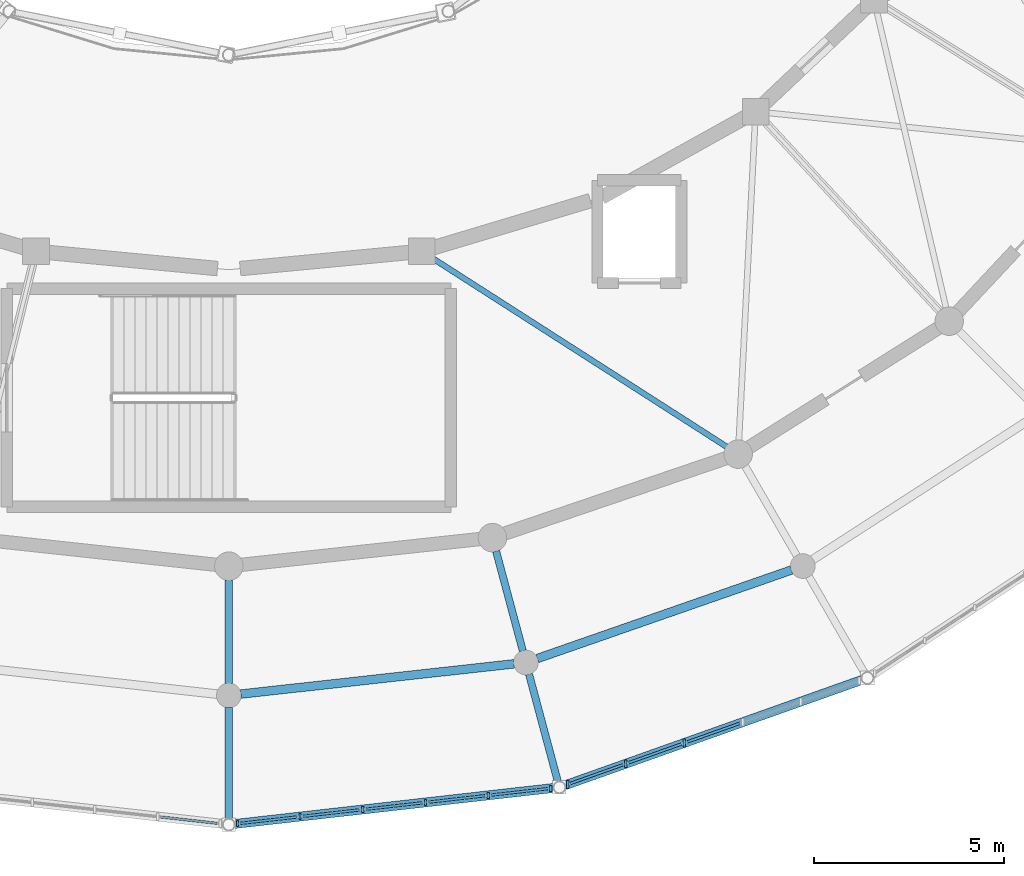
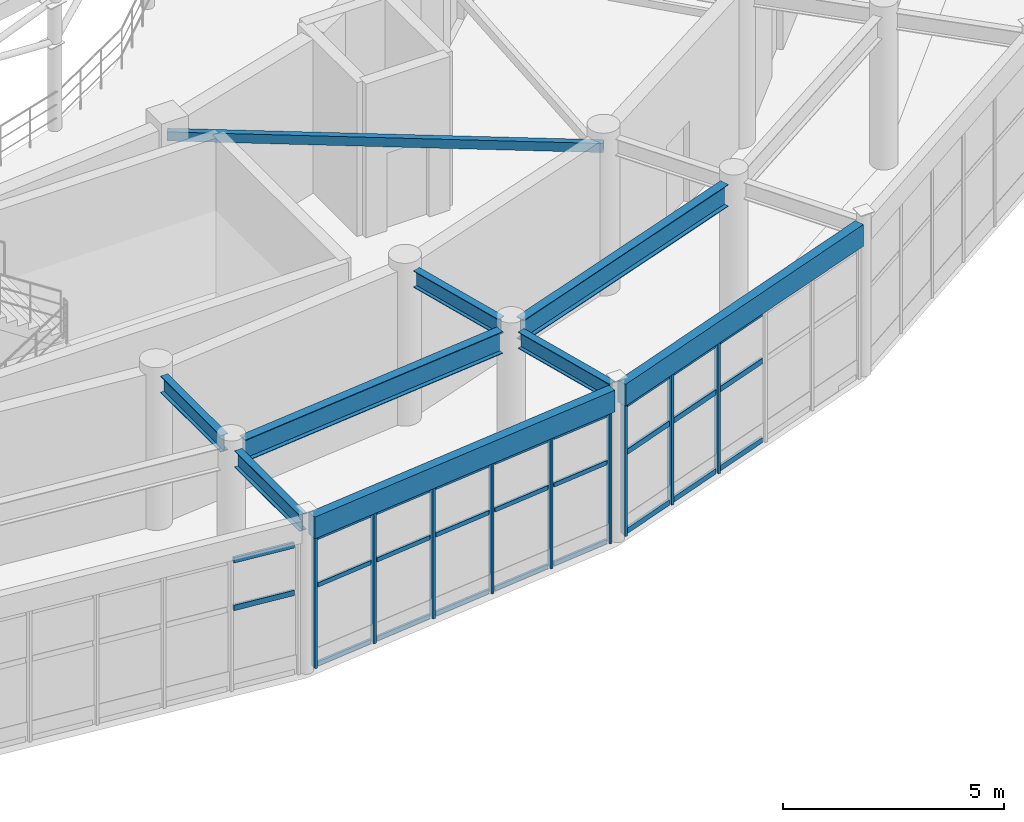
# One storey, part 18 of 60: 36 members, 8 beams, 3 elements without a shape of their own.
"""IFC4 building model written with IfcOpenShell, lengths in metres."""

import ifcopenshell
import ifcopenshell.guid

model = None  # the IFC model being written
_history = None  # IfcOwnerHistory: only IFC2X3 demands one
_inside = {}  # id of a spatial element -> (the spatial element, [elements in it])
_under = {}  # id of a project, library or spatial element -> (it, [spatial elements below it])
_declared = {}  # id of a project -> (the project, [libraries it declares])
_typed = {}  # id of a type object -> (the type object, [elements of that type])
_made_of = {}  # id of a material, layer set ... -> (it, [elements and type objects made of it])


def new_model(schema):
    """Start an empty IFC model of exactly this schema.

    Asked for "IFC4X3", IfcOpenShell would pick the latest addendum, in which some entities
    have other attributes; the version numbers below select the first issue.
    IFC2X3 requires an IfcOwnerHistory on every rooted entity: one is made here for all.
    """
    global model, _history
    if schema == "IFC4X3":
        model = ifcopenshell.file(schema_version=(4, 3, 0, 0))
    else:
        model = ifcopenshell.file(schema=schema)
    _inside.clear()
    _under.clear()
    _declared.clear()
    _typed.clear()
    _made_of.clear()
    _history = None
    if model.schema == "IFC2X3":
        org = make("IfcOrganization", Name="unknown")
        user = make(
            "IfcPersonAndOrganization",
            ThePerson=make("IfcPerson", FamilyName="unknown"),
            TheOrganization=org,
        )
        app = make(
            "IfcApplication",
            ApplicationDeveloper=org,
            Version="unknown",
            ApplicationFullName="unknown",
            ApplicationIdentifier="unknown",
        )
        _history = make(
            "IfcOwnerHistory",
            OwningUser=user,
            OwningApplication=app,
            ChangeAction="ADDED",
            CreationDate=0,
        )
    return model


def make(cls, **values):
    """One entity of the class cls with the attributes given. An attribute that is None is left unset."""
    return model.create_entity(
        cls, **{name: value for name, value in values.items() if value is not None}
    )


def rooted(cls, **values):
    """An entity with a GlobalId (a new one), such as an element, a storey or a relation."""
    return make(cls, GlobalId=ifcopenshell.guid.new(), OwnerHistory=_history, **values)


def si_unit(unit_type, name, prefix=None):
    """IfcSIUnit, for example si_unit("LENGTHUNIT", "METRE", prefix="MILLI")."""
    return make("IfcSIUnit", UnitType=unit_type, Prefix=prefix, Name=name)


def assignment(units):
    """IfcUnitAssignment: the units of a project."""
    return None if units is None else make("IfcUnitAssignment", Units=units)


def point(xyz):
    """IfcCartesianPoint."""
    return None if xyz is None else make("IfcCartesianPoint", Coordinates=xyz)


def direction(xyz):
    """IfcDirection."""
    return None if xyz is None else make("IfcDirection", DirectionRatios=xyz)


def frame(location, z_axis=None, x_axis=None):
    """IfcAxis2Placement3D, a coordinate frame: its origin and axes. An axis left out is left unset."""
    return make(
        "IfcAxis2Placement3D",
        Location=point(location),
        Axis=direction(z_axis),
        RefDirection=direction(x_axis),
    )


def frame_2d(location, x_axis=None):
    """IfcAxis2Placement2D, a coordinate frame in the plane: its origin and x axis."""
    return make(
        "IfcAxis2Placement2D", Location=point(location), RefDirection=direction(x_axis)
    )


def origin():
    """The frame at (0, 0, 0) with its axes left unset."""
    return frame((0.0, 0.0, 0.0))


def origin_2d():
    """The frame at (0, 0) in the plane with its x axis left unset."""
    return frame_2d((0.0, 0.0))


def place(relative_to, where):
    """IfcLocalPlacement: puts the frame where relative to a parent placement (None: the world)."""
    return make(
        "IfcLocalPlacement", PlacementRelTo=relative_to, RelativePlacement=where
    )


def context(
    kind, dimensions, precision=None, world=None, true_north=None, identifier=None
):
    """IfcGeometricRepresentationContext, for example the 3D "Model" context."""
    return make(
        "IfcGeometricRepresentationContext",
        ContextIdentifier=identifier,
        ContextType=kind,
        CoordinateSpaceDimension=dimensions,
        Precision=precision,
        WorldCoordinateSystem=world,
        TrueNorth=true_north,
    )


def subcontext(parent, identifier, kind, view, scale=None):
    """IfcGeometricRepresentationSubContext, for example "Body" below "Model"."""
    return make(
        "IfcGeometricRepresentationSubContext",
        ContextIdentifier=identifier,
        ContextType=kind,
        ParentContext=parent,
        TargetScale=scale,
        TargetView=view,
    )


def project(units=None, contexts=None):
    """IfcProject with its units and contexts."""
    return rooted(
        "IfcProject",
        Name="project",
        RepresentationContexts=contexts,
        UnitsInContext=assignment(units),
    )


def spatial(cls, under=None, at=None, **own):
    """A site, building, storey or space (cls), placed at a placement, below another one or the project."""
    s = rooted(cls, ObjectPlacement=at, **own)
    if under is not None:
        _under.setdefault(under.id(), (under, []))[1].append(s)
    return s


def profile(cls, at=None, kind="AREA", **sizes):
    """A parametric profile (cls). Its sizes go by their IFC names, for example OverallWidth=200.0."""
    return make(cls, ProfileType=kind, Position=at, **sizes)


def rectangle(**sizes):
    """IfcRectangleProfileDef."""
    return profile("IfcRectangleProfileDef", **sizes)


def hollow_rectangle(**sizes):
    """IfcRectangleHollowProfileDef."""
    return profile("IfcRectangleHollowProfileDef", **sizes)


def i_section(**sizes):
    """IfcIShapeProfileDef."""
    return profile("IfcIShapeProfileDef", **sizes)


def extrude(swept, where, along, depth):
    """IfcExtrudedAreaSolid: the profile swept, set in the frame where, extruded along a direction by depth."""
    return make(
        "IfcExtrudedAreaSolid",
        SweptArea=swept,
        Position=where,
        ExtrudedDirection=direction(along),
        Depth=depth,
    )


def shape(context_of_items, identifier, shape_type, items):
    """IfcShapeRepresentation: the items that make up one representation, for example the "Body"."""
    return make(
        "IfcShapeRepresentation",
        ContextOfItems=context_of_items,
        RepresentationIdentifier=identifier,
        RepresentationType=shape_type,
        Items=items,
    )


def material(Name=None, Category=None):
    """IfcMaterial."""
    return make("IfcMaterial", Name=Name, Category=Category)


def material_profile(
    of_material, cross_section, Name=None, Category=None, Priority=None
):
    """IfcMaterialProfile: a cross section and its material."""
    return make(
        "IfcMaterialProfile",
        Name=Name,
        Material=of_material,
        Profile=cross_section,
        Priority=Priority,
        Category=Category,
    )


def profile_set(profiles, Name=None, composite=None):
    """IfcMaterialProfileSet."""
    return make(
        "IfcMaterialProfileSet",
        Name=Name,
        MaterialProfiles=profiles,
        CompositeProfile=composite,
    )


def made_of(thing, what):
    """Note that an element or type object is made of a material, layer set ...; save() writes the relation."""
    if what is not None:
        _made_of.setdefault(what.id(), (what, []))[1].append(thing)
    return thing


def type_object(cls, material=None, **own):
    """A type object (cls), such as IfcWallType, which elements share."""
    return made_of(rooted(cls, **own), material)


def element(
    cls,
    number,
    at=None,
    inside=None,
    cuts=None,
    type_object=None,
    material=None,
    context=None,
    identifier="Body",
    shape_type=None,
    held_by="IfcProductDefinitionShape",
    body=None,
    shapes=None,
    **own,
):
    """One element of the class cls, such as IfcWall. Its Tag is "e" and its number.

    at: its placement. inside: the storey or other place that contains it. cuts: it is an
    opening in that element (IfcRelVoidsElement). A single representation is given by context,
    identifier, shape_type and body (its items); several are given by shapes. held_by: the class
    of the entity that holds the representations. save() writes the other relations.
    """
    e = rooted(cls, Tag="e%d" % number, ObjectPlacement=at, **own)
    if body is not None:
        shapes = [shape(context, identifier, shape_type, body)]
    if shapes is not None:
        e.Representation = make(held_by, Representations=shapes)
    if inside is not None:
        _inside.setdefault(inside.id(), (inside, []))[1].append(e)
    if cuts is not None:
        rooted(
            "IfcRelVoidsElement", RelatingBuildingElement=cuts, RelatedOpeningElement=e
        )
    if type_object is not None:
        _typed.setdefault(type_object.id(), (type_object, []))[1].append(e)
    return made_of(e, material)


def aggregate(whole, parts):
    """IfcRelAggregates: a whole, such as a stair, and the parts it consists of."""
    return rooted("IfcRelAggregates", RelatingObject=whole, RelatedObjects=parts)


def save(model, path):
    """Write the relations noted so far, then the file.

    IfcRelAggregates (storeys below a building ...), IfcRelContainedInSpatialStructure (elements
    in a storey), IfcRelDefinesByType, IfcRelAssociatesMaterial and IfcRelDeclares: one each for
    every whole, place, type object, material and project.
    """
    for whole, parts in _under.values():
        aggregate(whole, parts)
    for where, things in _inside.values():
        rooted(
            "IfcRelContainedInSpatialStructure",
            RelatedElements=things,
            RelatingStructure=where,
        )
    for kind, things in _typed.values():
        rooted("IfcRelDefinesByType", RelatedObjects=things, RelatingType=kind)
    for what, things in _made_of.values():
        rooted("IfcRelAssociatesMaterial", RelatedObjects=things, RelatingMaterial=what)
    for by, libraries in _declared.values():
        rooted("IfcRelDeclares", RelatingContext=by, RelatedDefinitions=libraries)
    model.write(path)


model = new_model("IFC4")

# Units and contexts
model_context = context("Model", 3, precision=1e-05, world=origin(), true_north=direction((0.0, 1.0)))
body_context = subcontext(model_context, "Body", "Model", "MODEL_VIEW")
ifc_project = project(units=[si_unit("LENGTHUNIT", "METRE"), si_unit("AREAUNIT", "SQUARE_METRE"), si_unit("VOLUMEUNIT", "CUBIC_METRE"), si_unit("PLANEANGLEUNIT", "RADIAN"), si_unit("MASSUNIT", "GRAM", prefix="KILO")], contexts=[model_context])

# Site, building, storey
site_placement = place(None, origin())
site = spatial("IfcSite", under=ifc_project, at=site_placement, CompositionType="ELEMENT")
building_placement = place(site_placement, origin())
building = spatial("IfcBuilding", under=site, at=building_placement, Name="Cinderbank Siding Concert Hall", CompositionType="ELEMENT")
storey_placement = place(building_placement, frame((0.0, 0.0, 14.699951171875)))
storey = spatial("IfcBuildingStorey", under=building, at=storey_placement, Name="L04", CompositionType="ELEMENT", Elevation=14.699951171875)

# Beams
ifc_material_1 = material(Name="Structural steel AS/NZS 3679.1 Grade 350 (340 MPa)", Category="steel")
ifc_material_profile_1 = material_profile(ifc_material_1, i_section(OverallWidth=0.19091796875, OverallDepth=0.46044921875, WebThickness=0.010009765625, FlangeThickness=0.01611328125, at=origin_2d()), Name="460UB82.1", Category="LoadBearing")
ifc_profile_set_1 = profile_set([ifc_material_profile_1], Name="Structural steel AS/NZS 3679.1 Grade 350 (340 MPa)")
beam_type_1 = type_object("IfcBeamType", Name="BM-UB460H 460UB82.1", PredefinedType="BEAM", material=ifc_profile_set_1)
beam_1_placement = place(storey_placement, frame((122.0, 21.633056640625, 4.03173828125), z_axis=(0.0, -1.0, 0.0), x_axis=(1.0, 0.0, 0.0)))
element("IfcBeam", 1, at=beam_1_placement, inside=storey, type_object=beam_type_1, Name="L04 Beam BM-UB460H #728", PredefinedType="BEAM", context=body_context, shape_type="SweptSolid", body=[
    extrude(i_section(OverallWidth=0.19091796875, OverallDepth=0.46044921875, WebThickness=0.010009765625, FlangeThickness=0.01611328125, at=origin_2d()), origin(), (0.0, 0.0, 1.0), 2.716064453125),
])
beam_2_placement = place(storey_placement, frame((129.031494140625, 22.39501953125, 4.03173828125), z_axis=(0.258809477387, -0.9659283899, 0.0), x_axis=(0.9659283899, 0.258809477387, 0.0)))
element("IfcBeam", 2, at=beam_2_placement, inside=storey, type_object=beam_type_1, Name="L04 Beam BM-UB460H #729", PredefinedType="BEAM", context=body_context, shape_type="SweptSolid", body=[
    extrude(i_section(OverallWidth=0.19091796875, OverallDepth=0.46044921875, WebThickness=0.010009765625, FlangeThickness=0.01611328125, at=origin_2d()), origin(), (0.0, 0.0, 1.0), 2.7158203125),
])
for number, where, z_axis, x_axis, name in (
    (3, (122.0, 18.282958984375, 4.001953125), (0.0, -1.0, 0.0), (1.0, 0.0, 0.0), "L04 Beam BM-UB460H #753"),
    (4, (129.898193359375, 19.1591796875, 4.001953125), (0.258897184534, -0.965904885504, 0.0), (0.965904885504, 0.258897184534, 0.0), "L04 Beam BM-UB460H #754"),
):
    element("IfcBeam", number, at=place(storey_placement, frame(where, z_axis=z_axis, x_axis=x_axis)), inside=storey, type_object=beam_type_1, Name=name, PredefinedType="BEAM", context=body_context, shape_type="SweptSolid", body=[
        extrude(i_section(OverallWidth=0.19091796875, OverallDepth=0.46044921875, WebThickness=0.010009765625, FlangeThickness=0.01611328125, at=origin_2d()), origin(), (0.0, 0.0, 1.0), 2.928955078125),
    ])
ifc_material_profile_2 = material_profile(ifc_material_1, i_section(OverallWidth=0.22802734375, OverallDepth=0.60693359375, WebThickness=0.01123046875, FlangeThickness=0.017333984375, at=origin_2d()), Name="610UB113", Category="LoadBearing")
ifc_profile_set_2 = profile_set([ifc_material_profile_2], Name="Structural steel AS/NZS 3679.1 Grade 350 (340 MPa)")
beam_type_2 = type_object("IfcBeamType", Name="BM-UB610M 610UB113", PredefinedType="BEAM", material=ifc_profile_set_2)
beam_3_placement = place(storey_placement, frame((122.315185546875, 18.635009765625, 3.928466796875), z_axis=(0.993926077211, 0.110049775281, 0.0), x_axis=(-0.110049775281, 0.993926077211, 0.0)))
element("IfcBeam", 5, at=beam_3_placement, inside=storey, type_object=beam_type_2, Name="L04 Beam BM-UB610M #670", PredefinedType="BEAM", context=body_context, shape_type="SweptSolid", body=[
    extrude(i_section(OverallWidth=0.22802734375, OverallDepth=0.60693359375, WebThickness=0.01123046875, FlangeThickness=0.017333984375, at=origin_2d()), origin(), (0.0, 0.0, 1.0), 7.22998046875),
])
beam_4_placement = place(storey_placement, frame((130.11572265625, 19.56982421875, 3.928466796875), z_axis=(0.944334299593, 0.328987432301, 0.0), x_axis=(-0.328987432301, 0.944334299593, 0.0)))
element("IfcBeam", 6, at=beam_4_placement, inside=storey, type_object=beam_type_2, Name="L04 Beam BM-UB610M #671", PredefinedType="BEAM", context=body_context, shape_type="SweptSolid", body=[
    extrude(i_section(OverallWidth=0.22802734375, OverallDepth=0.60693359375, WebThickness=0.01123046875, FlangeThickness=0.017333984375, at=origin_2d()), origin(), (0.0, 0.0, 1.0), 7.078857421875),
])

# Curtain wall, members
ifc_material_2 = material(Name="Anodised aluminium alloy 6063-T6", Category="aluminium")
curtain_wall_type_1 = type_object("IfcCurtainWallType", Name="CW-07 Unitised Acoustic Curtain Wall 7000x3800", PredefinedType="NOTDEFINED", material=ifc_material_2)
curtain_wall_1_placement = place(storey_placement, origin())
curtain_wall_1 = element("IfcCurtainWall", 7, at=curtain_wall_1_placement, inside=storey, type_object=curtain_wall_type_1, Name="L04 Curtain Wall CW-07 #66", PredefinedType="NOTDEFINED")
ifc_material_profile_3 = material_profile(ifc_material_2, rectangle(XDim=0.06005859375, YDim=0.159912109375, at=origin_2d()), Name="ALU-MULL-60x160", Category="LoadBearing")
ifc_profile_set_3 = profile_set([ifc_material_profile_3], Name="Anodised aluminium alloy 6063-T6")
member_type_1 = type_object("IfcMemberType", Name="CW-ML1 Mullion 60x160", PredefinedType="MULLION", material=ifc_profile_set_3)
member_1_placement = place(storey_placement, frame((122.2255859375, 15.225341796875, 0.0), z_axis=(0.0, 0.0, 1.0), x_axis=(1.0, 0.0, 0.0)))
member_1 = element("IfcMember", 8, at=member_1_placement, type_object=member_type_1, Name="CW-L04-066 Mullion 0", PredefinedType="MULLION", context=body_context, shape_type="SweptSolid", body=[
    extrude(rectangle(XDim=0.06005859375, YDim=0.159912109375, at=origin_2d()), origin(), (0.0, 0.0, 1.0), 3.616943359375),
])
member_2_placement = place(storey_placement, frame((123.87451171875, 15.41162109375, 0.0), z_axis=(0.0, 0.0, 1.0), x_axis=(1.0, 0.0, 0.0)))
member_2 = element("IfcMember", 9, at=member_2_placement, type_object=member_type_1, Name="CW-L04-066 Mullion 1", PredefinedType="MULLION", context=body_context, shape_type="SweptSolid", body=[
    extrude(rectangle(XDim=0.06005859375, YDim=0.159912109375, at=origin_2d()), origin(), (0.0, 0.0, 1.0), 3.616943359375),
])
member_3_placement = place(storey_placement, frame((125.523681640625, 15.59765625, 0.0), z_axis=(0.0, 0.0, 1.0), x_axis=(1.0, 0.0, 0.0)))
member_3 = element("IfcMember", 10, at=member_3_placement, type_object=member_type_1, Name="CW-L04-066 Mullion 2", PredefinedType="MULLION", context=body_context, shape_type="SweptSolid", body=[
    extrude(rectangle(XDim=0.06005859375, YDim=0.159912109375, at=origin_2d()), origin(), (0.0, 0.0, 1.0), 3.616943359375),
])
member_4_placement = place(storey_placement, frame((127.172607421875, 15.78369140625, 0.0), z_axis=(0.0, 0.0, 1.0), x_axis=(1.0, 0.0, 0.0)))
member_4 = element("IfcMember", 11, at=member_4_placement, type_object=member_type_1, Name="CW-L04-066 Mullion 3", PredefinedType="MULLION", context=body_context, shape_type="SweptSolid", body=[
    extrude(rectangle(XDim=0.06005859375, YDim=0.159912109375, at=origin_2d()), origin(), (0.0, 0.0, 1.0), 3.616943359375),
])
member_5_placement = place(storey_placement, frame((128.82177734375, 15.9697265625, 0.0), z_axis=(0.0, 0.0, 1.0), x_axis=(1.0, 0.0, 0.0)))
member_5 = element("IfcMember", 12, at=member_5_placement, type_object=member_type_1, Name="CW-L04-066 Mullion 4", PredefinedType="MULLION", context=body_context, shape_type="SweptSolid", body=[
    extrude(rectangle(XDim=0.06005859375, YDim=0.159912109375, at=origin_2d()), origin(), (0.0, 0.0, 1.0), 3.616943359375),
])
member_6_placement = place(storey_placement, frame((130.470703125, 16.156005859375, 0.0), z_axis=(0.0, 0.0, 1.0), x_axis=(1.0, 0.0, 0.0)))
member_6 = element("IfcMember", 13, at=member_6_placement, type_object=member_type_1, Name="CW-L04-066 Mullion 5", PredefinedType="MULLION", context=body_context, shape_type="SweptSolid", body=[
    extrude(rectangle(XDim=0.06005859375, YDim=0.159912109375, at=origin_2d()), origin(), (0.0, 0.0, 1.0), 3.616943359375),
])

curtain_wall_type_2 = type_object("IfcCurtainWallType", Name="CW-08 Unitised Acoustic Curtain Wall 6400x3800", PredefinedType="NOTDEFINED", material=ifc_material_2)
curtain_wall_2_placement = place(storey_placement, origin())
curtain_wall_2 = element("IfcCurtainWall", 14, at=curtain_wall_2_placement, inside=storey, type_object=curtain_wall_type_2, Name="L04 Curtain Wall CW-08 #67", PredefinedType="NOTDEFINED")
ifc_material_profile_4 = material_profile(ifc_material_2, rectangle(XDim=0.06494140625, YDim=0.199951171875, at=origin_2d()), Name="ALU-MULL-65x200", Category="LoadBearing")
ifc_profile_set_4 = profile_set([ifc_material_profile_4], Name="Anodised aluminium alloy 6063-T6")
member_type_2 = type_object("IfcMemberType", Name="CW-ML2 Mullion 65x200", PredefinedType="MULLION", material=ifc_profile_set_4)
member_7_placement = place(storey_placement, frame((130.91015625, 16.257080078125, 0.0), z_axis=(0.0, 0.0, 1.0), x_axis=(1.0, 0.0, 0.0)))
member_7 = element("IfcMember", 15, at=member_7_placement, type_object=member_type_2, Name="CW-L04-067 Mullion 0", PredefinedType="MULLION", context=body_context, shape_type="SweptSolid", body=[
    extrude(rectangle(XDim=0.06494140625, YDim=0.199951171875, at=origin_2d()), origin(), (0.0, 0.0, 1.0), 3.616943359375),
])
member_8_placement = place(storey_placement, frame((132.4453125, 16.80224609375, 0.0), z_axis=(0.0, 0.0, 1.0), x_axis=(1.0, 0.0, 0.0)))
member_8 = element("IfcMember", 16, at=member_8_placement, type_object=member_type_2, Name="CW-L04-067 Mullion 1", PredefinedType="MULLION", context=body_context, shape_type="SweptSolid", body=[
    extrude(rectangle(XDim=0.06494140625, YDim=0.199951171875, at=origin_2d()), origin(), (0.0, 0.0, 1.0), 3.616943359375),
])
member_9_placement = place(storey_placement, frame((133.980712890625, 17.347412109375, 0.0), z_axis=(0.0, 0.0, 1.0), x_axis=(1.0, 0.0, 0.0)))
member_9 = element("IfcMember", 17, at=member_9_placement, type_object=member_type_2, Name="CW-L04-067 Mullion 2", PredefinedType="MULLION", context=body_context, shape_type="SweptSolid", body=[
    extrude(rectangle(XDim=0.06494140625, YDim=0.199951171875, at=origin_2d()), origin(), (0.0, 0.0, 1.0), 3.616943359375),
])

# Member
ifc_material_profile_5 = material_profile(ifc_material_2, rectangle(XDim=0.06005859375, YDim=0.1201171875, at=origin_2d()), Name="ALU-TRAN-60x120", Category="LoadBearing")
ifc_profile_set_5 = profile_set([ifc_material_profile_5], Name="Anodised aluminium alloy 6063-T6")
member_type_3 = type_object("IfcMemberType", Name="CW-TR1 Transom 60x120", PredefinedType="USERDEFINED", material=ifc_profile_set_5)
member_10_placement = place(storey_placement, frame((122.30810546875, 15.23486328125, 0.06005859375), z_axis=(0.993709046729, 0.111992546398, 0.0), x_axis=(-0.111992546398, 0.993709046729, 0.0)))
member_10 = element("IfcMember", 18, at=member_10_placement, type_object=member_type_3, Name="CW-L04-066 Transom 0-0", ObjectType="TRANSOM", PredefinedType="USERDEFINED", context=body_context, shape_type="SweptSolid", body=[
    extrude(rectangle(XDim=0.06005859375, YDim=0.1201171875, at=origin_2d()), origin(), (0.0, 0.0, 1.0), 1.4931640625),
])

member_11_placement = place(storey_placement, frame((122.30810546875, 15.23486328125, 2.242431640625), z_axis=(0.993709046729, 0.111992546398, 0.0), x_axis=(-0.111992546398, 0.993709046729, 0.0)))
member_11 = element("IfcMember", 19, at=member_11_placement, type_object=member_type_3, Name="CW-L04-066 Transom 0-1", ObjectType="TRANSOM", PredefinedType="USERDEFINED", context=body_context, shape_type="SweptSolid", body=[
    extrude(rectangle(XDim=0.06005859375, YDim=0.1201171875, at=origin_2d()), origin(), (0.0, 0.0, 1.0), 1.4931640625),
])

member_12_placement = place(storey_placement, frame((122.30810546875, 15.23486328125, 3.55712890625), z_axis=(0.993709046729, 0.111992546398, 0.0), x_axis=(-0.111992546398, 0.993709046729, 0.0)))
member_12 = element("IfcMember", 20, at=member_12_placement, type_object=member_type_3, Name="CW-L04-066 Transom 0-2", ObjectType="TRANSOM", PredefinedType="USERDEFINED", context=body_context, shape_type="SweptSolid", body=[
    extrude(rectangle(XDim=0.06005859375, YDim=0.1201171875, at=origin_2d()), origin(), (0.0, 0.0, 1.0), 1.4931640625),
])

member_13_placement = place(storey_placement, frame((123.95703125, 15.4208984375, 0.06005859375), z_axis=(0.993692895122, 0.112135766747, 0.0), x_axis=(-0.112135766747, 0.993692895122, 0.0)))
member_13 = element("IfcMember", 21, at=member_13_placement, type_object=member_type_3, Name="CW-L04-066 Transom 1-0", ObjectType="TRANSOM", PredefinedType="USERDEFINED", context=body_context, shape_type="SweptSolid", body=[
    extrude(rectangle(XDim=0.06005859375, YDim=0.1201171875, at=origin_2d()), origin(), (0.0, 0.0, 1.0), 1.49365234375),
])

member_14_placement = place(storey_placement, frame((123.95703125, 15.4208984375, 2.242431640625), z_axis=(0.993692895122, 0.112135766747, 0.0), x_axis=(-0.112135766747, 0.993692895122, 0.0)))
member_14 = element("IfcMember", 22, at=member_14_placement, type_object=member_type_3, Name="CW-L04-066 Transom 1-1", ObjectType="TRANSOM", PredefinedType="USERDEFINED", context=body_context, shape_type="SweptSolid", body=[
    extrude(rectangle(XDim=0.06005859375, YDim=0.1201171875, at=origin_2d()), origin(), (0.0, 0.0, 1.0), 1.49365234375),
])

member_15_placement = place(storey_placement, frame((123.95703125, 15.4208984375, 3.55712890625), z_axis=(0.993692895122, 0.112135766747, 0.0), x_axis=(-0.112135766747, 0.993692895122, 0.0)))
member_15 = element("IfcMember", 23, at=member_15_placement, type_object=member_type_3, Name="CW-L04-066 Transom 1-2", ObjectType="TRANSOM", PredefinedType="USERDEFINED", context=body_context, shape_type="SweptSolid", body=[
    extrude(rectangle(XDim=0.06005859375, YDim=0.1201171875, at=origin_2d()), origin(), (0.0, 0.0, 1.0), 1.49365234375),
])

member_16_placement = place(storey_placement, frame((125.606201171875, 15.60693359375, 0.06005859375), z_axis=(0.993690839164, 0.112153984151, 0.0), x_axis=(-0.112153984151, 0.993690839164, 0.0)))
member_16 = element("IfcMember", 24, at=member_16_placement, type_object=member_type_3, Name="CW-L04-066 Transom 2-0", ObjectType="TRANSOM", PredefinedType="USERDEFINED", context=body_context, shape_type="SweptSolid", body=[
    extrude(rectangle(XDim=0.06005859375, YDim=0.1201171875, at=origin_2d()), origin(), (0.0, 0.0, 1.0), 1.493408203125),
])

member_17_placement = place(storey_placement, frame((125.606201171875, 15.60693359375, 2.242431640625), z_axis=(0.993690839164, 0.112153984151, 0.0), x_axis=(-0.112153984151, 0.993690839164, 0.0)))
member_17 = element("IfcMember", 25, at=member_17_placement, type_object=member_type_3, Name="CW-L04-066 Transom 2-1", ObjectType="TRANSOM", PredefinedType="USERDEFINED", context=body_context, shape_type="SweptSolid", body=[
    extrude(rectangle(XDim=0.06005859375, YDim=0.1201171875, at=origin_2d()), origin(), (0.0, 0.0, 1.0), 1.493408203125),
])

member_18_placement = place(storey_placement, frame((125.606201171875, 15.60693359375, 3.55712890625), z_axis=(0.993690839164, 0.112153984151, 0.0), x_axis=(-0.112153984151, 0.993690839164, 0.0)))
member_18 = element("IfcMember", 26, at=member_18_placement, type_object=member_type_3, Name="CW-L04-066 Transom 2-2", ObjectType="TRANSOM", PredefinedType="USERDEFINED", context=body_context, shape_type="SweptSolid", body=[
    extrude(rectangle(XDim=0.06005859375, YDim=0.1201171875, at=origin_2d()), origin(), (0.0, 0.0, 1.0), 1.493408203125),
])

member_19_placement = place(storey_placement, frame((127.255126953125, 15.79296875, 0.06005859375), z_axis=(0.993692895122, 0.112135766747, 0.0), x_axis=(-0.112135766747, 0.993692895122, 0.0)))
member_19 = element("IfcMember", 27, at=member_19_placement, type_object=member_type_3, Name="CW-L04-066 Transom 3-0", ObjectType="TRANSOM", PredefinedType="USERDEFINED", context=body_context, shape_type="SweptSolid", body=[
    extrude(rectangle(XDim=0.06005859375, YDim=0.1201171875, at=origin_2d()), origin(), (0.0, 0.0, 1.0), 1.49365234375),
])

member_20_placement = place(storey_placement, frame((127.255126953125, 15.79296875, 2.242431640625), z_axis=(0.993692895122, 0.112135766747, 0.0), x_axis=(-0.112135766747, 0.993692895122, 0.0)))
member_20 = element("IfcMember", 28, at=member_20_placement, type_object=member_type_3, Name="CW-L04-066 Transom 3-1", ObjectType="TRANSOM", PredefinedType="USERDEFINED", context=body_context, shape_type="SweptSolid", body=[
    extrude(rectangle(XDim=0.06005859375, YDim=0.1201171875, at=origin_2d()), origin(), (0.0, 0.0, 1.0), 1.49365234375),
])

member_21_placement = place(storey_placement, frame((127.255126953125, 15.79296875, 3.55712890625), z_axis=(0.993692895122, 0.112135766747, 0.0), x_axis=(-0.112135766747, 0.993692895122, 0.0)))
member_21 = element("IfcMember", 29, at=member_21_placement, type_object=member_type_3, Name="CW-L04-066 Transom 3-2", ObjectType="TRANSOM", PredefinedType="USERDEFINED", context=body_context, shape_type="SweptSolid", body=[
    extrude(rectangle(XDim=0.06005859375, YDim=0.1201171875, at=origin_2d()), origin(), (0.0, 0.0, 1.0), 1.49365234375),
])

member_22_placement = place(storey_placement, frame((128.904296875, 15.97900390625, 0.06005859375), z_axis=(0.993690839164, 0.112153984151, 0.0), x_axis=(-0.112153984151, 0.993690839164, 0.0)))
member_22 = element("IfcMember", 30, at=member_22_placement, type_object=member_type_3, Name="CW-L04-066 Transom 4-0", ObjectType="TRANSOM", PredefinedType="USERDEFINED", context=body_context, shape_type="SweptSolid", body=[
    extrude(rectangle(XDim=0.06005859375, YDim=0.1201171875, at=origin_2d()), origin(), (0.0, 0.0, 1.0), 1.493408203125),
])

member_23_placement = place(storey_placement, frame((128.904296875, 15.97900390625, 2.242431640625), z_axis=(0.993690839164, 0.112153984151, 0.0), x_axis=(-0.112153984151, 0.993690839164, 0.0)))
member_23 = element("IfcMember", 31, at=member_23_placement, type_object=member_type_3, Name="CW-L04-066 Transom 4-1", ObjectType="TRANSOM", PredefinedType="USERDEFINED", context=body_context, shape_type="SweptSolid", body=[
    extrude(rectangle(XDim=0.06005859375, YDim=0.1201171875, at=origin_2d()), origin(), (0.0, 0.0, 1.0), 1.493408203125),
])

member_24_placement = place(storey_placement, frame((128.904296875, 15.97900390625, 3.55712890625), z_axis=(0.993690839164, 0.112153984151, 0.0), x_axis=(-0.112153984151, 0.993690839164, 0.0)))
member_24 = element("IfcMember", 32, at=member_24_placement, type_object=member_type_3, Name="CW-L04-066 Transom 4-2", ObjectType="TRANSOM", PredefinedType="USERDEFINED", context=body_context, shape_type="SweptSolid", body=[
    extrude(rectangle(XDim=0.06005859375, YDim=0.1201171875, at=origin_2d()), origin(), (0.0, 0.0, 1.0), 1.493408203125),
])

aggregate(curtain_wall_1, [member_1, member_2, member_3, member_4, member_5, member_6, member_10, member_11, member_12, member_13, member_14, member_15, member_16, member_17, member_18, member_19, member_20, member_21, member_22, member_23, member_24])

# Curtain wall, members
curtain_wall_type_3 = type_object("IfcCurtainWallType", Name="CW-06 Unitised Acoustic Curtain Wall 7600x3800", PredefinedType="NOTDEFINED", material=ifc_material_2)
curtain_wall_3_placement = place(storey_placement, origin())
curtain_wall_3 = element("IfcCurtainWall", 33, at=curtain_wall_3_placement, inside=storey, type_object=curtain_wall_type_3, Name="L04 Curtain Wall CW-06 #65", PredefinedType="NOTDEFINED")
ifc_material_profile_6 = material_profile(ifc_material_2, rectangle(XDim=0.06494140625, YDim=0.14990234375, at=origin_2d()), Name="ALU-TRAN-65x150", Category="LoadBearing")
ifc_profile_set_6 = profile_set([ifc_material_profile_6], Name="Anodised aluminium alloy 6063-T6")
member_type_4 = type_object("IfcMemberType", Name="CW-TR2 Transom 65x150", PredefinedType="USERDEFINED", material=ifc_profile_set_6)
member_25_placement = place(storey_placement, frame((120.2080078125, 15.402099609375, 2.242431640625), z_axis=(0.993709046729, -0.111992546398, 0.0), x_axis=(0.111992546398, 0.993709046729, 0.0)))
member_25 = element("IfcMember", 34, at=member_25_placement, type_object=member_type_4, Name="CW-L04-065 Transom 4-1", ObjectType="TRANSOM", PredefinedType="USERDEFINED", context=body_context, shape_type="SweptSolid", body=[
    extrude(rectangle(XDim=0.06494140625, YDim=0.14990234375, at=origin_2d()), origin(), (0.0, 0.0, 1.0), 1.4931640625),
])
member_26_placement = place(storey_placement, frame((120.2080078125, 15.402099609375, 3.55712890625), z_axis=(0.993709046729, -0.111992546398, 0.0), x_axis=(0.111992546398, 0.993709046729, 0.0)))
member_26 = element("IfcMember", 35, at=member_26_placement, type_object=member_type_4, Name="CW-L04-065 Transom 4-2", ObjectType="TRANSOM", PredefinedType="USERDEFINED", context=body_context, shape_type="SweptSolid", body=[
    extrude(rectangle(XDim=0.06494140625, YDim=0.14990234375, at=origin_2d()), origin(), (0.0, 0.0, 1.0), 1.4931640625),
])
aggregate(curtain_wall_3, [member_25, member_26])

# Member
member_27_placement = place(storey_placement, frame((130.98681640625, 16.284423828125, 0.06005859375), z_axis=(0.942395579657, 0.334500480482, 0.0), x_axis=(-0.334500480482, 0.942395579657, 0.0)))
member_27 = element("IfcMember", 36, at=member_27_placement, type_object=member_type_4, Name="CW-L04-067 Transom 0-0", ObjectType="TRANSOM", PredefinedType="USERDEFINED", context=body_context, shape_type="SweptSolid", body=[
    extrude(rectangle(XDim=0.06494140625, YDim=0.14990234375, at=origin_2d()), origin(), (0.0, 0.0, 1.0), 1.46630859375),
])

member_28_placement = place(storey_placement, frame((130.98681640625, 16.284423828125, 2.242431640625), z_axis=(0.942395579657, 0.334500480482, 0.0), x_axis=(-0.334500480482, 0.942395579657, 0.0)))
member_28 = element("IfcMember", 37, at=member_28_placement, type_object=member_type_4, Name="CW-L04-067 Transom 0-1", ObjectType="TRANSOM", PredefinedType="USERDEFINED", context=body_context, shape_type="SweptSolid", body=[
    extrude(rectangle(XDim=0.06494140625, YDim=0.14990234375, at=origin_2d()), origin(), (0.0, 0.0, 1.0), 1.46630859375),
])

member_29_placement = place(storey_placement, frame((130.98681640625, 16.284423828125, 3.55712890625), z_axis=(0.942395579657, 0.334500480482, 0.0), x_axis=(-0.334500480482, 0.942395579657, 0.0)))
member_29 = element("IfcMember", 38, at=member_29_placement, type_object=member_type_4, Name="CW-L04-067 Transom 0-2", ObjectType="TRANSOM", PredefinedType="USERDEFINED", context=body_context, shape_type="SweptSolid", body=[
    extrude(rectangle(XDim=0.06494140625, YDim=0.14990234375, at=origin_2d()), origin(), (0.0, 0.0, 1.0), 1.46630859375),
])

member_30_placement = place(storey_placement, frame((132.522216796875, 16.82958984375, 0.06005859375), z_axis=(0.942376945381, 0.334552974602, 0.0), x_axis=(-0.334552974602, 0.942376945381, 0.0)))
member_30 = element("IfcMember", 39, at=member_30_placement, type_object=member_type_4, Name="CW-L04-067 Transom 1-0", ObjectType="TRANSOM", PredefinedType="USERDEFINED", context=body_context, shape_type="SweptSolid", body=[
    extrude(rectangle(XDim=0.06494140625, YDim=0.14990234375, at=origin_2d()), origin(), (0.0, 0.0, 1.0), 1.466064453125),
])

member_31_placement = place(storey_placement, frame((132.522216796875, 16.82958984375, 2.242431640625), z_axis=(0.942376945381, 0.334552974602, 0.0), x_axis=(-0.334552974602, 0.942376945381, 0.0)))
member_31 = element("IfcMember", 40, at=member_31_placement, type_object=member_type_4, Name="CW-L04-067 Transom 1-1", ObjectType="TRANSOM", PredefinedType="USERDEFINED", context=body_context, shape_type="SweptSolid", body=[
    extrude(rectangle(XDim=0.06494140625, YDim=0.14990234375, at=origin_2d()), origin(), (0.0, 0.0, 1.0), 1.466064453125),
])

member_32_placement = place(storey_placement, frame((132.522216796875, 16.82958984375, 3.55712890625), z_axis=(0.942376945381, 0.334552974602, 0.0), x_axis=(-0.334552974602, 0.942376945381, 0.0)))
member_32 = element("IfcMember", 41, at=member_32_placement, type_object=member_type_4, Name="CW-L04-067 Transom 1-2", ObjectType="TRANSOM", PredefinedType="USERDEFINED", context=body_context, shape_type="SweptSolid", body=[
    extrude(rectangle(XDim=0.06494140625, YDim=0.14990234375, at=origin_2d()), origin(), (0.0, 0.0, 1.0), 1.466064453125),
])

member_33_placement = place(storey_placement, frame((134.057373046875, 17.37451171875, 0.06005859375), z_axis=(0.942324434865, 0.334700850694, 0.0), x_axis=(-0.334700850694, 0.942324434865, 0.0)))
member_33 = element("IfcMember", 42, at=member_33_placement, type_object=member_type_4, Name="CW-L04-067 Transom 2-0", ObjectType="TRANSOM", PredefinedType="USERDEFINED", context=body_context, shape_type="SweptSolid", body=[
    extrude(rectangle(XDim=0.06494140625, YDim=0.14990234375, at=origin_2d()), origin(), (0.0, 0.0, 1.0), 1.466064453125),
])

member_34_placement = place(storey_placement, frame((134.057373046875, 17.37451171875, 2.242431640625), z_axis=(0.942324434865, 0.334700850694, 0.0), x_axis=(-0.334700850694, 0.942324434865, 0.0)))
member_34 = element("IfcMember", 43, at=member_34_placement, type_object=member_type_4, Name="CW-L04-067 Transom 2-1", ObjectType="TRANSOM", PredefinedType="USERDEFINED", context=body_context, shape_type="SweptSolid", body=[
    extrude(rectangle(XDim=0.06494140625, YDim=0.14990234375, at=origin_2d()), origin(), (0.0, 0.0, 1.0), 1.466064453125),
])

member_35_placement = place(storey_placement, frame((134.057373046875, 17.37451171875, 3.55712890625), z_axis=(0.942324434865, 0.334700850694, 0.0), x_axis=(-0.334700850694, 0.942324434865, 0.0)))
member_35 = element("IfcMember", 44, at=member_35_placement, type_object=member_type_4, Name="CW-L04-067 Transom 2-2", ObjectType="TRANSOM", PredefinedType="USERDEFINED", context=body_context, shape_type="SweptSolid", body=[
    extrude(rectangle(XDim=0.06494140625, YDim=0.14990234375, at=origin_2d()), origin(), (0.0, 0.0, 1.0), 1.466064453125),
])

aggregate(curtain_wall_2, [member_7, member_8, member_9, member_27, member_28, member_29, member_30, member_31, member_32, member_33, member_34, member_35])

# Beams
ifc_material_3 = material(Name="Spotted gum glulam timber GL18 (42 MPa)", Category="wood")
ifc_material_profile_7 = material_profile(ifc_material_3, rectangle(XDim=0.239990234375, YDim=0.60009765625, at=origin_2d()), Name="GL18-240x600", Category="LoadBearing")
ifc_profile_set_7 = profile_set([ifc_material_profile_7], Name="Spotted gum glulam timber GL18 (42 MPa)")
beam_type_3 = type_object("IfcBeamType", Name="SP-GL600 GL18-240x600", PredefinedType="SPANDREL", material=ifc_profile_set_7)
beam_5_placement = place(storey_placement, frame((122.153076171875, 15.21728515625, 3.93212890625), z_axis=(0.993693273547, 0.112132413281, 0.0), x_axis=(-0.112132413281, 0.993693273547, 0.0)))
element("IfcBeam", 45, at=beam_5_placement, inside=storey, type_object=beam_type_3, Name="L04 Beam SP-GL600 #694", PredefinedType="SPANDREL", context=body_context, shape_type="SweptSolid", body=[
    extrude(rectangle(XDim=0.239990234375, YDim=0.60009765625, at=origin_2d()), origin(), (0.0, 0.0, 1.0), 8.443359375),
])
beam_6_placement = place(storey_placement, frame((130.84130859375, 16.23291015625, 3.93212890625), z_axis=(0.942365164676, 0.334586156924, 0.0), x_axis=(-0.334586156924, 0.942365164676, 0.0)))
element("IfcBeam", 46, at=beam_6_placement, inside=storey, type_object=beam_type_3, Name="L04 Beam SP-GL600 #695", PredefinedType="SPANDREL", context=body_context, shape_type="SweptSolid", body=[
    extrude(rectangle(XDim=0.239990234375, YDim=0.60009765625, at=origin_2d()), origin(), (0.0, 0.0, 1.0), 8.291259765625),
])

# Member
ifc_material_4 = material(Name="Structural steel hollow section AS/NZS 1163 Grade C350L0 (350 MPa)", Category="steel")
ifc_material_profile_8 = material_profile(ifc_material_4, hollow_rectangle(XDim=0.14990234375, YDim=0.25, WallThickness=0.009033203125, at=origin_2d()), Name="250x150x9.0RHS", Category="LoadBearing")
ifc_profile_set_8 = profile_set([ifc_material_profile_8], Name="Structural steel hollow section AS/NZS 1163 Grade C350L0 (350 MPa)")
member_type_5 = type_object("IfcMemberType", Name="TR-RHS250 250x150x9.0RHS Roof Truss", PredefinedType="RAFTER", material=ifc_profile_set_8)
member_36_placement = place(storey_placement, frame((127.072998046875, 30.283935546875, 3.880126953125), z_axis=(0.841940386591, -0.539570556487, 0.0), x_axis=(0.539570556487, 0.841940386591, 0.0)))
element("IfcMember", 47, at=member_36_placement, inside=storey, type_object=member_type_5, Name="L04 Roof Truss Member TR-RHS250 #2291", PredefinedType="RAFTER", context=body_context, shape_type="SweptSolid", body=[
    extrude(hollow_rectangle(XDim=0.14990234375, YDim=0.25, WallThickness=0.009033203125, at=origin_2d()), origin(), (0.0, 0.0, 1.0), 9.89013671875),
])

save(model, "model.ifc")
